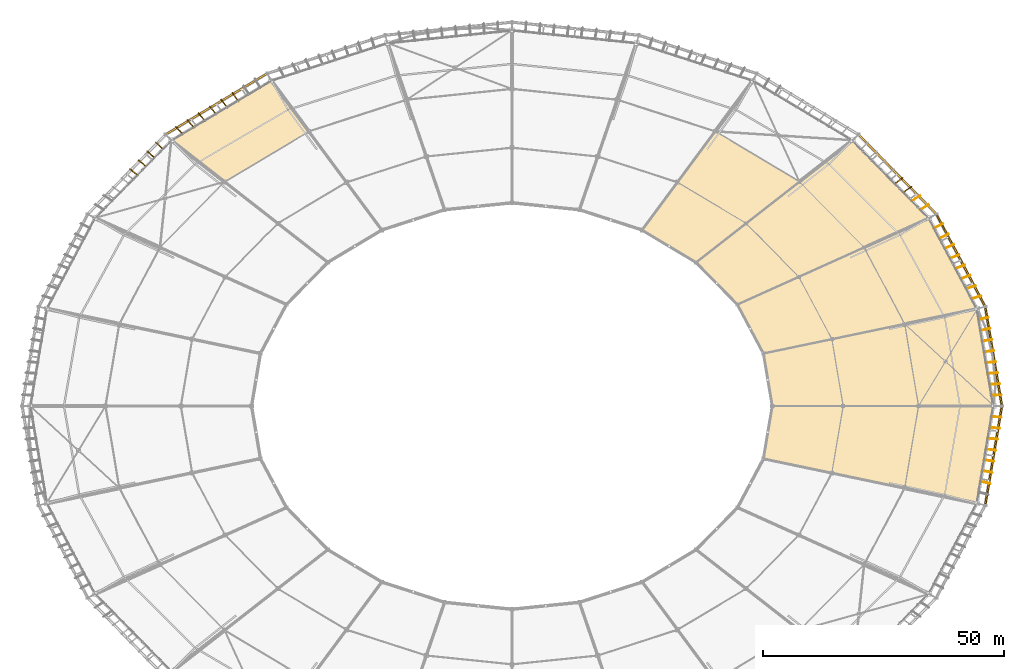
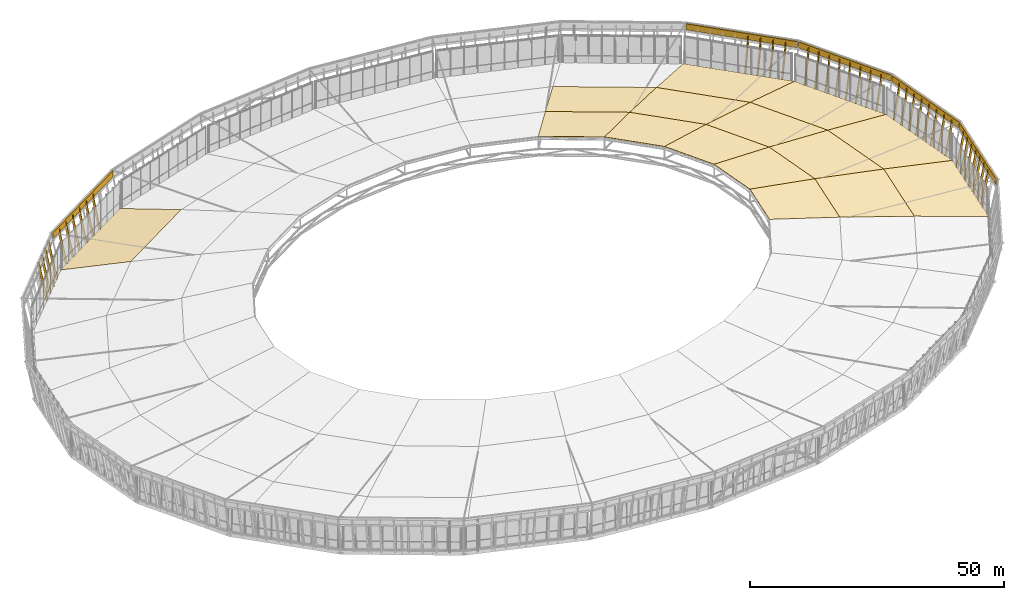
# One storey, part 114 of 115: 37 shading devices, 20 coverings, 4 elements without a shape of their own.
"""IFC4 building model written with IfcOpenShell, lengths in metres."""

from ifc_helpers import new_model, si_unit, direction, frame, origin, origin_2d, place, context, subcontext, project, spatial, polyline, rectangle, outline, extrude, material, layer, layer_set, material_profile, profile_set, type_object, element, aggregate, save


model = new_model("IFC4")

# Units and contexts
model_context = context("Model", 3, precision=1e-05, world=origin(), true_north=direction((0.0, 1.0)))
body_context = subcontext(model_context, "Body", "Model", "MODEL_VIEW")
ifc_project = project(units=[si_unit("LENGTHUNIT", "METRE"), si_unit("AREAUNIT", "SQUARE_METRE"), si_unit("VOLUMEUNIT", "CUBIC_METRE"), si_unit("PLANEANGLEUNIT", "RADIAN"), si_unit("MASSUNIT", "GRAM", prefix="KILO")], contexts=[model_context])

# Site, building, storey
site_placement = place(None, origin())
site = spatial("IfcSite", under=ifc_project, at=site_placement, CompositionType="ELEMENT")
building_placement = place(site_placement, origin())
building = spatial("IfcBuilding", under=site, at=building_placement, Name="Zlatoyarsky Gate Stadium", CompositionType="ELEMENT")
storey_placement = place(building_placement, frame((0.0, 0.0, 31.800048828125)))
storey = spatial("IfcBuildingStorey", under=building, at=storey_placement, Name="RF", CompositionType="ELEMENT", Elevation=31.800048828125)

# Coverings
ifc_material_1 = material(Name="Perforated stone-toned anodised aluminium fascia cladding", Category="masonry")
ifc_layer_1 = layer(ifc_material_1, 0.044921875)
ifc_layer_set_1 = layer_set([ifc_layer_1], Name="Perforated stone-toned anodised aluminium fascia cladding")
covering_type_1 = type_object("IfcCoveringType", Name="PERFORATED ANODISED CROWN FASCIA SCREEN 45", PredefinedType="CLADDING", material=ifc_layer_set_1)
covering_1_placement = place(storey_placement, frame((210.962890625, 90.3134765625, 7.39990234375), z_axis=(0.0, 0.0, 1.0), x_axis=(-0.165737957739, 0.986169827851, 0.0)))
element("IfcCovering", 1, at=covering_1_placement, inside=storey, type_object=covering_type_1, Name="RF crown perforated eaves fascia cladding sector 00", PredefinedType="CLADDING", context=body_context, shape_type="SweptSolid", body=[
    extrude(rectangle(XDim=20.677001953125, YDim=0.360107421875, at=origin_2d()), origin(), (0.0, 0.0, 1.0), 1.449951171875),
])
covering_2_placement = place(storey_placement, frame((204.150390625, 110.2373046875, 7.39990234375), z_axis=(0.0, 0.0, 1.0), x_axis=(-0.46744793664, 0.884020603001, 0.0)))
element("IfcCovering", 2, at=covering_2_placement, inside=storey, type_object=covering_type_1, Name="RF crown perforated eaves fascia cladding sector 01", PredefinedType="CLADDING", context=body_context, shape_type="SweptSolid", body=[
    extrude(rectangle(XDim=21.502197265625, YDim=0.360107421875, at=origin_2d()), origin(), (0.0, 0.0, 1.0), 1.449951171875),
])
covering_3_placement = place(storey_placement, frame((190.990234375, 128.100341796875, 7.39990234375), z_axis=(0.0, 0.0, 1.0), x_axis=(-0.699762493402, 0.71437556847, 0.0)))
element("IfcCovering", 3, at=covering_3_placement, inside=storey, type_object=covering_type_1, Name="RF crown perforated eaves fascia cladding sector 02", PredefinedType="CLADDING", context=body_context, shape_type="SweptSolid", body=[
    extrude(rectangle(XDim=22.861572265625, YDim=0.360107421875, at=origin_2d()), origin(), (0.0, 0.0, 1.0), 1.449951171875),
])
covering_4_placement = place(storey_placement, frame((49.621337890625, 142.685791015625, 7.39990234375), z_axis=(0.0, 0.0, 1.0), x_axis=(-0.85708092378, -0.515181802952, 0.0)))
element("IfcCovering", 4, at=covering_4_placement, inside=storey, type_object=covering_type_1, Name="RF crown perforated eaves fascia cladding sector 08", PredefinedType="CLADDING", context=body_context, shape_type="SweptSolid", body=[
    extrude(rectangle(XDim=24.337890625, YDim=0.360107421875, at=origin_2d()), origin(), (0.0, 0.0, 1.0), 1.449951171875),
])
covering_5_placement = place(storey_placement, frame((210.962890625, 69.686767578125, 7.39990234375), z_axis=(0.0, 0.0, 1.0), x_axis=(0.165737957739, 0.986169827851, 0.0)))
element("IfcCovering", 5, at=covering_5_placement, inside=storey, type_object=covering_type_1, Name="RF crown perforated eaves fascia cladding sector 23", PredefinedType="CLADDING", context=body_context, shape_type="SweptSolid", body=[
    extrude(rectangle(XDim=20.677001953125, YDim=0.360107421875, at=origin_2d()), origin(), (0.0, 0.0, 1.0), 1.449951171875),
])

# Shading devices
ifc_material_2 = material(Name="Precast concrete C40/50 stone-toned architectural rib", Category="masonry")
ifc_material_profile = material_profile(ifc_material_2, rectangle(XDim=0.179931640625, YDim=0.47998046875, at=origin_2d()), Name="RIB 180X480")
ifc_profile_set = profile_set([ifc_material_profile], Name="Precast concrete C40/50 stone-toned architectural rib")
shading_device_type = type_object("IfcShadingDeviceType", Name="PRECAST RIBBED BOWL LOUVRE FIN 180X480", PredefinedType="JALOUSIE", material=ifc_profile_set)
shading_device_1_placement = place(storey_placement, frame((210.64892578125, 82.243896484375, -0.35009765625), z_axis=(0.195030035876, 0.005630926562, 0.980781105942), x_axis=(-0.028860072953, 0.999583461342, 0.0)))
element("IfcShadingDevice", 6, at=shading_device_1_placement, inside=storey, type_object=shading_device_type, Name="RF crown fluted louvre fin 00-1", PredefinedType="JALOUSIE", context=body_context, shape_type="SweptSolid", body=[
    extrude(rectangle(XDim=0.179931640625, YDim=0.47998046875, at=origin_2d()), origin(), (0.0, 0.0, 1.0), 9.2783203125),
])
shading_device_2_placement = place(storey_placement, frame((210.270263671875, 84.48779296875, -0.35009765625), z_axis=(0.194311906235, 0.01126293281, 0.980875134479), x_axis=(-0.057866038024, 0.998324356932, 0.0)))
element("IfcShadingDevice", 7, at=shading_device_2_placement, inside=storey, type_object=shading_device_type, Name="RF crown fluted louvre fin 00-2", PredefinedType="JALOUSIE", context=body_context, shape_type="SweptSolid", body=[
    extrude(rectangle(XDim=0.179931640625, YDim=0.47998046875, at=origin_2d()), origin(), (0.0, 0.0, 1.0), 9.277587890625),
])
shading_device_3_placement = place(storey_placement, frame((209.8916015625, 86.731689453125, -0.35009765625), z_axis=(0.193587395149, 0.016895474128, 0.980937543065), x_axis=(-0.086945188706, 0.996213096762, 0.0)))
element("IfcShadingDevice", 8, at=shading_device_3_placement, inside=storey, type_object=shading_device_type, Name="RF crown fluted louvre fin 00-3", PredefinedType="JALOUSIE", context=body_context, shape_type="SweptSolid", body=[
    extrude(rectangle(XDim=0.179931640625, YDim=0.47998046875, at=origin_2d()), origin(), (0.0, 0.0, 1.0), 9.27685546875),
])
for number, where, z_axis, x_axis, name in (
    (9, (209.5126953125, 88.9755859375, -0.35009765625), (0.192856570316, 0.022528005484, 0.980968313584), (-0.116023334295, 0.993246487987, 0.0), "RF crown fluted louvre fin 00-4"),
    (10, (209.134033203125, 91.219482421875, -0.35009765625), (0.192119501284, 0.028159981695, 0.980967437103), (-0.145025730923, 0.989427883865, 0.0), "RF crown fluted louvre fin 00-5"),
):
    element("IfcShadingDevice", number, at=place(storey_placement, frame(where, z_axis=z_axis, x_axis=x_axis)), inside=storey, type_object=shading_device_type, Name=name, PredefinedType="JALOUSIE", context=body_context, shape_type="SweptSolid", body=[
        extrude(rectangle(XDim=0.179931640625, YDim=0.47998046875, at=origin_2d()), origin(), (0.0, 0.0, 1.0), 9.276611328125),
    ])
shading_device_4_placement = place(storey_placement, frame((208.75537109375, 93.46337890625, -0.35009765625), z_axis=(0.191376259423, 0.033790857687, 0.980934913879), x_axis=(-0.1738780361, 0.984767195109, 0.0)))
element("IfcShadingDevice", 11, at=shading_device_4_placement, inside=storey, type_object=shading_device_type, Name="RF crown fluted louvre fin 00-6", PredefinedType="JALOUSIE", context=body_context, shape_type="SweptSolid", body=[
    extrude(rectangle(XDim=0.179931640625, YDim=0.47998046875, at=origin_2d()), origin(), (0.0, 0.0, 1.0), 9.27685546875),
])
shading_device_5_placement = place(storey_placement, frame((208.376708984375, 95.707275390625, -0.35009765625), z_axis=(0.190601558805, 0.039420286496, 0.980875673464), x_axis=(-0.202534070788, 0.979275216765, 0.0)))
element("IfcShadingDevice", 12, at=shading_device_5_placement, inside=storey, type_object=shading_device_type, Name="RF crown fluted louvre fin 00-7", PredefinedType="JALOUSIE", context=body_context, shape_type="SweptSolid", body=[
    extrude(rectangle(XDim=0.179931640625, YDim=0.47998046875, at=origin_2d()), origin(), (0.0, 0.0, 1.0), 9.277587890625),
])
for number, where, z_axis, x_axis, name in (
    (13, (207.997802734375, 97.951171875, -0.35009765625), (0.189871551575, 0.045047130861, 0.980774974142), (-0.23084267522, 0.972991089012, 0.0), "RF crown fluted louvre fin 00-8"),
    (14, (206.5087890625, 102.285888671875, -0.35009765625), (0.186950900828, 0.055940551043, 0.980775211467), (-0.286667433462, 0.958030157454, 0.0), "RF crown fluted louvre fin 01-1"),
):
    element("IfcShadingDevice", number, at=place(storey_placement, frame(where, z_axis=z_axis, x_axis=x_axis)), inside=storey, type_object=shading_device_type, Name=name, PredefinedType="JALOUSIE", context=body_context, shape_type="SweptSolid", body=[
        extrude(rectangle(XDim=0.179931640625, YDim=0.47998046875, at=origin_2d()), origin(), (0.0, 0.0, 1.0), 9.278564453125),
    ])
shading_device_6_placement = place(storey_placement, frame((205.398681640625, 104.376953125, -0.35009765625), z_axis=(0.184785302945, 0.061182829585, 0.980872597833), x_axis=(-0.314320923346, 0.949316784402, 0.0)))
element("IfcShadingDevice", 15, at=shading_device_6_placement, inside=storey, type_object=shading_device_type, Name="RF crown fluted louvre fin 01-2", PredefinedType="JALOUSIE", context=body_context, shape_type="SweptSolid", body=[
    extrude(rectangle(XDim=0.179931640625, YDim=0.47998046875, at=origin_2d()), origin(), (0.0, 0.0, 1.0), 9.277587890625),
])
shading_device_7_placement = place(storey_placement, frame((204.288330078125, 106.468017578125, -0.35009765625), z_axis=(0.182613396654, 0.066424011119, 0.980938427277), x_axis=(-0.34183005436, 0.939761785739, 0.0)))
element("IfcShadingDevice", 16, at=shading_device_7_placement, inside=storey, type_object=shading_device_type, Name="RF crown fluted louvre fin 01-3", PredefinedType="JALOUSIE", context=body_context, shape_type="SweptSolid", body=[
    extrude(rectangle(XDim=0.179931640625, YDim=0.47998046875, at=origin_2d()), origin(), (0.0, 0.0, 1.0), 9.27685546875),
])
for number, where, z_axis, x_axis, name in (
    (17, (203.177978515625, 108.558837890625, -0.35009765625), (0.180460509711, 0.071689431013, 0.980966171647), (-0.369193060763, 0.929352723074, 0.0), "RF crown fluted louvre fin 01-4"),
    (18, (202.067626953125, 110.64990234375, -0.35009765625), (0.17830209172, 0.076926496546, 0.980964157458), (-0.396142641461, 0.918188982517, 0.0), "RF crown fluted louvre fin 01-5"),
):
    element("IfcShadingDevice", number, at=place(storey_placement, frame(where, z_axis=z_axis, x_axis=x_axis)), inside=storey, type_object=shading_device_type, Name=name, PredefinedType="JALOUSIE", context=body_context, shape_type="SweptSolid", body=[
        extrude(rectangle(XDim=0.179931640625, YDim=0.47998046875, at=origin_2d()), origin(), (0.0, 0.0, 1.0), 9.276611328125),
    ])
shading_device_8_placement = place(storey_placement, frame((200.957275390625, 112.740966796875, -0.35009765625), z_axis=(0.176112530755, 0.082161285268, 0.980935216879), x_axis=(-0.4227816734, 0.906231568992, 0.0)))
element("IfcShadingDevice", 19, at=shading_device_8_placement, inside=storey, type_object=shading_device_type, Name="RF crown fluted louvre fin 01-6", PredefinedType="JALOUSIE", context=body_context, shape_type="SweptSolid", body=[
    extrude(rectangle(XDim=0.179931640625, YDim=0.47998046875, at=origin_2d()), origin(), (0.0, 0.0, 1.0), 9.27685546875),
])
shading_device_9_placement = place(storey_placement, frame((199.846923828125, 114.831787109375, -0.35009765625), z_axis=(0.173942618792, 0.087418665602, 0.980867953535), x_axis=(-0.44905102955, 0.89350611238, 0.0)))
element("IfcShadingDevice", 20, at=shading_device_9_placement, inside=storey, type_object=shading_device_type, Name="RF crown fluted louvre fin 01-7", PredefinedType="JALOUSIE", context=body_context, shape_type="SweptSolid", body=[
    extrude(rectangle(XDim=0.179931640625, YDim=0.47998046875, at=origin_2d()), origin(), (0.0, 0.0, 1.0), 9.277587890625),
])
shading_device_10_placement = place(storey_placement, frame((198.73681640625, 116.9228515625, -0.35009765625), z_axis=(0.17171679421, 0.092647078212, 0.980780230982), x_axis=(-0.474831474978, 0.880076741183, 0.0)))
element("IfcShadingDevice", 21, at=shading_device_10_placement, inside=storey, type_object=shading_device_type, Name="RF crown fluted louvre fin 01-8", PredefinedType="JALOUSIE", context=body_context, shape_type="SweptSolid", body=[
    extrude(rectangle(XDim=0.179931640625, YDim=0.47998046875, at=origin_2d()), origin(), (0.0, 0.0, 1.0), 9.2783203125),
])
shading_device_11_placement = place(storey_placement, frame((195.860107421875, 120.809326171875, -0.35009765625), z_axis=(0.166111293154, 0.102408546326, 0.980774962938), x_axis=(-0.524789382262, 0.851232109512, 0.0)))
element("IfcShadingDevice", 22, at=shading_device_11_placement, inside=storey, type_object=shading_device_type, Name="RF crown fluted louvre fin 02-1", PredefinedType="JALOUSIE", context=body_context, shape_type="SweptSolid", body=[
    extrude(rectangle(XDim=0.179931640625, YDim=0.47998046875, at=origin_2d()), origin(), (0.0, 0.0, 1.0), 9.278564453125),
])
shading_device_12_placement = place(storey_placement, frame((194.093994140625, 122.60498046875, -0.35009765625), z_axis=(0.162654758763, 0.106892675958, 0.980875825616), x_axis=(-0.549196771849, 0.835693069129, 0.0)))
element("IfcShadingDevice", 23, at=shading_device_12_placement, inside=storey, type_object=shading_device_type, Name="RF crown fluted louvre fin 02-2", PredefinedType="JALOUSIE", context=body_context, shape_type="SweptSolid", body=[
    extrude(rectangle(XDim=0.179931640625, YDim=0.47998046875, at=origin_2d()), origin(), (0.0, 0.0, 1.0), 9.277587890625),
])
shading_device_13_placement = place(storey_placement, frame((192.32763671875, 124.400390625, -0.35009765625), z_axis=(0.159217123819, 0.111425669793, 0.980935384005), x_axis=(-0.573371454425, 0.819295535964, 0.0)))
element("IfcShadingDevice", 24, at=shading_device_13_placement, inside=storey, type_object=shading_device_type, Name="RF crown fluted louvre fin 02-3", PredefinedType="JALOUSIE", context=body_context, shape_type="SweptSolid", body=[
    extrude(rectangle(XDim=0.179931640625, YDim=0.47998046875, at=origin_2d()), origin(), (0.0, 0.0, 1.0), 9.27685546875),
])
shading_device_14_placement = place(storey_placement, frame((190.561279296875, 126.196044921875, -0.35009765625), z_axis=(0.155774503633, 0.115929496283, 0.980966184896), x_axis=(-0.597024968871, 0.802222653972, 0.0)))
element("IfcShadingDevice", 25, at=shading_device_14_placement, inside=storey, type_object=shading_device_type, Name="RF crown fluted louvre fin 02-4", PredefinedType="JALOUSIE", context=body_context, shape_type="SweptSolid", body=[
    extrude(rectangle(XDim=0.179931640625, YDim=0.47998046875, at=origin_2d()), origin(), (0.0, 0.0, 1.0), 9.276611328125),
])
shading_device_15_placement = place(storey_placement, frame((54.080810546875, 143.4404296875, -0.35009765625), z_axis=(-0.111425669793, 0.159217123819, 0.980935384005), x_axis=(-0.819295535964, -0.573371454425, 0.0)))
element("IfcShadingDevice", 26, at=shading_device_15_placement, inside=storey, type_object=shading_device_type, Name="RF crown fluted louvre fin 08-3", PredefinedType="JALOUSIE", context=body_context, shape_type="SweptSolid", body=[
    extrude(rectangle(XDim=0.179931640625, YDim=0.47998046875, at=origin_2d()), origin(), (0.0, 0.0, 1.0), 9.27685546875),
])
for number, where, z_axis, x_axis, name in (
    (27, (51.77880859375, 142.062744140625, -0.35009765625), (-0.115929496283, 0.155774503633, 0.980966184896), (-0.802222653972, -0.597024968871, 0.0), "RF crown fluted louvre fin 08-4"),
    (28, (49.47705078125, 140.68505859375, -0.35009765625), (-0.120430217812, 0.152301064352, 0.980969392201), (-0.784400255099, -0.620254979667, 0.0), "RF crown fluted louvre fin 08-5"),
):
    element("IfcShadingDevice", number, at=place(storey_placement, frame(where, z_axis=z_axis, x_axis=x_axis)), inside=storey, type_object=shading_device_type, Name=name, PredefinedType="JALOUSIE", context=body_context, shape_type="SweptSolid", body=[
        extrude(rectangle(XDim=0.179931640625, YDim=0.47998046875, at=origin_2d()), origin(), (0.0, 0.0, 1.0), 9.276611328125),
    ])
shading_device_16_placement = place(storey_placement, frame((47.17529296875, 139.30712890625, -0.35009765625), z_axis=(-0.12495234775, 0.148848036831, 0.980933826883), x_axis=(-0.765907568244, -0.642950695549, 0.0)))
element("IfcShadingDevice", 29, at=shading_device_16_placement, inside=storey, type_object=shading_device_type, Name="RF crown fluted louvre fin 08-6", PredefinedType="JALOUSIE", context=body_context, shape_type="SweptSolid", body=[
    extrude(rectangle(XDim=0.179931640625, YDim=0.47998046875, at=origin_2d()), origin(), (0.0, 0.0, 1.0), 9.27685546875),
])
shading_device_17_placement = place(storey_placement, frame((44.873291015625, 137.929443359375, -0.35009765625), z_axis=(-0.12941870555, 0.145365784761, 0.98087694808), x_axis=(-0.746886906655, -0.664951087424, 0.0)))
element("IfcShadingDevice", 30, at=shading_device_17_placement, inside=storey, type_object=shading_device_type, Name="RF crown fluted louvre fin 08-7", PredefinedType="JALOUSIE", context=body_context, shape_type="SweptSolid", body=[
    extrude(rectangle(XDim=0.179931640625, YDim=0.47998046875, at=origin_2d()), origin(), (0.0, 0.0, 1.0), 9.277587890625),
])
for number, where, z_axis, x_axis, name in (
    (31, (42.571533203125, 136.551513671875, -0.35009765625), (-0.133930933581, 0.141929952011, 0.980774384735), (-0.72730475479, -0.686314646252, 0.0), "RF crown fluted louvre fin 08-8"),
    (32, (38.503662109375, 133.378173828125, -0.35009765625), (-0.141903669219, 0.133957274244, 0.980774590484), (-0.68645326365, -0.727173924742, 0.0), "RF crown fluted louvre fin 09-1"),
):
    element("IfcShadingDevice", number, at=place(storey_placement, frame(where, z_axis=z_axis, x_axis=x_axis)), inside=storey, type_object=shading_device_type, Name=name, PredefinedType="JALOUSIE", context=body_context, shape_type="SweptSolid", body=[
        extrude(rectangle(XDim=0.179931640625, YDim=0.47998046875, at=origin_2d()), origin(), (0.0, 0.0, 1.0), 9.278564453125),
    ])
shading_device_18_placement = place(storey_placement, frame((36.7373046875, 131.582763671875, -0.35009765625), z_axis=(-0.145365289642, 0.129444579969, 0.980873607191), x_axis=(-0.66502650148, -0.74681975893, 0.0)))
element("IfcShadingDevice", 33, at=shading_device_18_placement, inside=storey, type_object=shading_device_type, Name="RF crown fluted louvre fin 09-2", PredefinedType="JALOUSIE", context=body_context, shape_type="SweptSolid", body=[
    extrude(rectangle(XDim=0.179931640625, YDim=0.47998046875, at=origin_2d()), origin(), (0.0, 0.0, 1.0), 9.277587890625),
])
shading_device_19_placement = place(storey_placement, frame((34.97119140625, 129.787109375, -0.35009765625), z_axis=(-0.148848036831, 0.12495234775, 0.980933826883), x_axis=(-0.642950695549, -0.765907568244, 0.0)))
element("IfcShadingDevice", 34, at=shading_device_19_placement, inside=storey, type_object=shading_device_type, Name="RF crown fluted louvre fin 09-3", PredefinedType="JALOUSIE", context=body_context, shape_type="SweptSolid", body=[
    extrude(rectangle(XDim=0.179931640625, YDim=0.47998046875, at=origin_2d()), origin(), (0.0, 0.0, 1.0), 9.27685546875),
])
shading_device_20_placement = place(storey_placement, frame((33.204833984375, 127.99169921875, -0.35009765625), z_axis=(-0.152301064352, 0.120430217812, 0.980969392201), x_axis=(-0.620254979667, -0.784400255099, 0.0)))
element("IfcShadingDevice", 35, at=shading_device_20_placement, inside=storey, type_object=shading_device_type, Name="RF crown fluted louvre fin 09-4", PredefinedType="JALOUSIE", context=body_context, shape_type="SweptSolid", body=[
    extrude(rectangle(XDim=0.179931640625, YDim=0.47998046875, at=origin_2d()), origin(), (0.0, 0.0, 1.0), 9.276611328125),
])
shading_device_21_placement = place(storey_placement, frame((208.376708984375, 64.292724609375, -0.35009765625), z_axis=(0.190601558805, -0.039420286496, 0.980875673464), x_axis=(0.202534070788, 0.979275216765, 0.0)))
element("IfcShadingDevice", 36, at=shading_device_21_placement, inside=storey, type_object=shading_device_type, Name="RF crown fluted louvre fin 23-2", PredefinedType="JALOUSIE", context=body_context, shape_type="SweptSolid", body=[
    extrude(rectangle(XDim=0.179931640625, YDim=0.47998046875, at=origin_2d()), origin(), (0.0, 0.0, 1.0), 9.277587890625),
])
shading_device_22_placement = place(storey_placement, frame((208.75537109375, 66.53662109375, -0.35009765625), z_axis=(0.191376259423, -0.033790857687, 0.980934913879), x_axis=(0.1738780361, 0.984767195109, 0.0)))
element("IfcShadingDevice", 37, at=shading_device_22_placement, inside=storey, type_object=shading_device_type, Name="RF crown fluted louvre fin 23-3", PredefinedType="JALOUSIE", context=body_context, shape_type="SweptSolid", body=[
    extrude(rectangle(XDim=0.179931640625, YDim=0.47998046875, at=origin_2d()), origin(), (0.0, 0.0, 1.0), 9.27685546875),
])
for number, where, z_axis, x_axis, name in (
    (38, (209.134033203125, 68.780517578125, -0.35009765625), (0.192119501284, -0.028159981695, 0.980967437103), (0.145025730923, 0.989427883865, 0.0), "RF crown fluted louvre fin 23-4"),
    (39, (209.5126953125, 71.0244140625, -0.35009765625), (0.192856570316, -0.022528005484, 0.980968313584), (0.116023334295, 0.993246487987, 0.0), "RF crown fluted louvre fin 23-5"),
):
    element("IfcShadingDevice", number, at=place(storey_placement, frame(where, z_axis=z_axis, x_axis=x_axis)), inside=storey, type_object=shading_device_type, Name=name, PredefinedType="JALOUSIE", context=body_context, shape_type="SweptSolid", body=[
        extrude(rectangle(XDim=0.179931640625, YDim=0.47998046875, at=origin_2d()), origin(), (0.0, 0.0, 1.0), 9.276611328125),
    ])
shading_device_23_placement = place(storey_placement, frame((209.8916015625, 73.268310546875, -0.35009765625), z_axis=(0.193587395149, -0.016895474128, 0.980937543065), x_axis=(0.086945188706, 0.996213096762, 0.0)))
element("IfcShadingDevice", 40, at=shading_device_23_placement, inside=storey, type_object=shading_device_type, Name="RF crown fluted louvre fin 23-6", PredefinedType="JALOUSIE", context=body_context, shape_type="SweptSolid", body=[
    extrude(rectangle(XDim=0.179931640625, YDim=0.47998046875, at=origin_2d()), origin(), (0.0, 0.0, 1.0), 9.27685546875),
])
shading_device_24_placement = place(storey_placement, frame((210.270263671875, 75.51220703125, -0.35009765625), z_axis=(0.194311906235, -0.01126293281, 0.980875134479), x_axis=(0.057866038024, 0.998324356932, 0.0)))
element("IfcShadingDevice", 41, at=shading_device_24_placement, inside=storey, type_object=shading_device_type, Name="RF crown fluted louvre fin 23-7", PredefinedType="JALOUSIE", context=body_context, shape_type="SweptSolid", body=[
    extrude(rectangle(XDim=0.179931640625, YDim=0.47998046875, at=origin_2d()), origin(), (0.0, 0.0, 1.0), 9.277587890625),
])
shading_device_25_placement = place(storey_placement, frame((210.64892578125, 77.756103515625, -0.35009765625), z_axis=(0.195030035876, -0.005630926562, 0.980781105942), x_axis=(0.028860072953, 0.999583461342, 0.0)))
element("IfcShadingDevice", 42, at=shading_device_25_placement, inside=storey, type_object=shading_device_type, Name="RF crown fluted louvre fin 23-8", PredefinedType="JALOUSIE", context=body_context, shape_type="SweptSolid", body=[
    extrude(rectangle(XDim=0.179931640625, YDim=0.47998046875, at=origin_2d()), origin(), (0.0, 0.0, 1.0), 9.2783203125),
])

# Roof, coverings
ifc_material_3 = material(Name="Standing-seam aluminium-zinc roofing with mineral wool insulation", Category="aluminium")
ifc_layer_2 = layer(ifc_material_3, 0.080078125)
ifc_layer_set_2 = layer_set([ifc_layer_2], Name="Standing-seam aluminium-zinc roofing with mineral wool insulation")
roof_type = type_object("IfcRoofType", Name="STADIUM BARREL VAULT ROOF ASSEMBLY", PredefinedType="BARREL_ROOF", material=ifc_layer_set_2)
roof_1_placement = place(storey_placement, origin())
roof_1 = element("IfcRoof", 43, at=roof_1_placement, inside=storey, type_object=roof_type, Name="Stadium barrel arch roof sector 1", PredefinedType="BARREL_ROOF")
ifc_layer_3 = layer(ifc_material_3, 0.06005859375)
ifc_layer_set_3 = layer_set([ifc_layer_3], Name="Standing-seam aluminium-zinc roofing with mineral wool insulation")
covering_type_2 = type_object("IfcCoveringType", Name="STANDING SEAM ALUMINIUM ZINC ROOFING 60", PredefinedType="ROOFING", material=ifc_layer_set_3)
covering_6_placement = place(storey_placement, frame((211.027587890625, 80.0, 0.260009765625), z_axis=(0.212232882997, 0.035819109006, 0.97656243774), x_axis=(-0.166422396487, 0.986054555259, 7.26426e-07)))
covering_6 = element("IfcCovering", 44, at=covering_6_placement, type_object=covering_type_2, Name="Stadium standing seam roofing sector 00 bay 1", PredefinedType="ROOFING", context=body_context, shape_type="SweptSolid", body=[
    extrude(outline(polyline([(0.0, 0.0), (20.480681111773205, -4.440892098500626e-16), (19.88110507793153, 15.796217675096024), (2.6035622218499994, 15.796345110952627), (0.0, 0.0)])), origin(), (0.0, 0.0, -1.0), 0.06005859375),
])
covering_7_placement = place(storey_placement, frame((195.38330078125, 80.0, 3.659912109375), z_axis=(0.197288387171, 0.033296875225, 0.979779878538), x_axis=(-0.166415266345, 0.98605575863, -7.92078e-07)))
covering_7 = element("IfcCovering", 45, at=covering_7_placement, type_object=covering_type_2, Name="Stadium standing seam roofing sector 00 bay 2", PredefinedType="ROOFING", context=body_context, shape_type="SweptSolid", body=[
    extrude(outline(polyline([(0.0, 0.0), (17.27754285655257, 4.440892098500626e-16), (16.677650205279438, 15.74462196374074), (2.603445710929395, 15.744497847299712), (0.0, 0.0)])), origin(), (0.0, 0.0, -1.0), 0.06005859375),
])
covering_8_placement = place(storey_placement, frame((179.739013671875, 80.0, 6.81005859375), z_axis=(0.177045392064, 0.029881380548, 0.983748968104), x_axis=(-0.166423993428, 0.986054285732, -6.3215e-08)))
covering_8 = element("IfcCovering", 46, at=covering_8_placement, type_object=covering_type_2, Name="Stadium standing seam roofing sector 00 bay 3", PredefinedType="ROOFING", context=body_context, shape_type="SweptSolid", body=[
    extrude(outline(polyline([(0.0, 0.0), (14.074204494904219, 0.0), (13.509954511495028, 14.758634617646527), (2.4504468646312674, 14.758625768629122), (0.0, 0.0)])), origin(), (0.0, 0.0, -1.0), 0.06005859375),
])
covering_9_placement = place(storey_placement, frame((207.619140625, 100.195068359375, 0.260009765625), z_axis=(0.197393520935, 0.104815476231, 0.974704834212), x_axis=(-0.468978328534, 0.8832096735, -7.78726e-07)))
covering_9 = element("IfcCovering", 47, at=covering_9_placement, type_object=covering_type_2, Name="Stadium standing seam roofing sector 01 bay 1", PredefinedType="ROOFING", context=body_context, shape_type="SweptSolid", body=[
    extrude(outline(polyline([(0.0, 0.0), (21.30733667960491, -3.552713678800501e-15), (22.272037155518145, 15.212437205781285), (4.297197083498218, 15.212300335087063), (0.0, 0.0)])), origin(), (0.0, 0.0, -1.0), 0.06005859375),
])
covering_10_placement = place(storey_placement, frame((192.508056640625, 97.03662109375, 3.659912109375), z_axis=(0.183541042483, 0.097459660481, 0.97816885061), x_axis=(-0.46898487922, 0.883206195099, 1.019999e-06)))
covering_10 = element("IfcCovering", 48, at=covering_10_placement, type_object=covering_type_2, Name="Stadium standing seam roofing sector 01 bay 2", PredefinedType="ROOFING", context=body_context, shape_type="SweptSolid", body=[
    extrude(outline(polyline([(0.0, 0.0), (17.97484007253932, 0.0), (18.939656384642074, 15.15856553760574), (4.297211790298488, 15.158725632562989), (0.0, 0.0)])), origin(), (0.0, 0.0, -1.0), 0.06005859375),
])
covering_11_placement = place(storey_placement, frame((177.396728515625, 93.8779296875, 6.81005859375), z_axis=(0.164762027399, 0.087486990583, 0.982445673208), x_axis=(-0.468975230927, 0.883211318302, -1.93843e-07)))
covering_11 = element("IfcCovering", 49, at=covering_11_placement, type_object=covering_type_2, Name="Stadium standing seam roofing sector 01 bay 3", PredefinedType="ROOFING", context=body_context, shape_type="SweptSolid", body=[
    extrude(outline(polyline([(0.0, 0.0), (14.642444595230506, -1.7763568394002505e-15), (15.550353376214641, 14.204881870937053), (4.044474844243187, 14.204854700251182), (0.0, 0.0)])), origin(), (0.0, 0.0, -1.0), 0.06005859375),
])
covering_12_placement = place(storey_placement, frame((197.62646484375, 119.013916015625, 0.260009765625), z_axis=(0.168948625829, 0.166192117478, 0.971512502194), x_axis=(-0.701266900285, 0.712898824915, -8.8643e-08)))
covering_12 = element("IfcCovering", 50, at=covering_12_placement, type_object=covering_type_2, Name="Stadium standing seam roofing sector 02 bay 1", PredefinedType="ROOFING", context=body_context, shape_type="SweptSolid", body=[
    extrude(outline(polyline([(0.0, 0.0), (22.667889468842993, 0.0), (24.273771870630213, 14.346296345083724), (5.151031200888392, 14.346280713684154), (0.0, 0.0)])), origin(), (0.0, 0.0, -1.0), 0.06005859375),
])
covering_13_placement = place(storey_placement, frame((184.078125, 112.912109375, 3.659912109375), z_axis=(0.157163436364, 0.154599522261, 0.975396658794), x_axis=(-0.701267503741, 0.712898231304, -1.1819e-07)))
covering_13 = element("IfcCovering", 51, at=covering_13_placement, type_object=covering_type_2, Name="Stadium standing seam roofing sector 02 bay 2", PredefinedType="ROOFING", context=body_context, shape_type="SweptSolid", body=[
    extrude(outline(polyline([(0.0, 0.0), (19.122740669748183, 0.0), (20.72863479855162, 14.289166108712909), (5.151042927889645, 14.289147505340267), (0.0, 0.0)])), origin(), (0.0, 0.0, -1.0), 0.06005859375),
])
covering_14_placement = place(storey_placement, frame((170.52978515625, 106.810302734375, 6.81005859375), z_axis=(0.141161010432, 0.138856723893, 0.980200173109), x_axis=(-0.701268194688, 0.712897551629, 1.130846e-06)))
covering_14 = element("IfcCovering", 52, at=covering_14_placement, type_object=covering_type_2, Name="Stadium standing seam roofing sector 02 bay 3", PredefinedType="ROOFING", context=body_context, shape_type="SweptSolid", body=[
    extrude(outline(polyline([(0.0, 0.0), (15.577591870662886, 0.0), (17.088906441996944, 13.382629616332784), (4.848086175728565, 13.382788489483769), (0.0, 0.0)])), origin(), (0.0, 0.0, -1.0), 0.06005859375),
])
aggregate(roof_1, [covering_6, covering_7, covering_8, covering_9, covering_10, covering_11, covering_12, covering_13, covering_14])

roof_2_placement = place(storey_placement, origin())
roof_2 = element("IfcRoof", 53, at=roof_2_placement, inside=storey, type_object=roof_type, Name="Stadium barrel arch roof sector 2", PredefinedType="BARREL_ROOF")
covering_15_placement = place(storey_placement, frame((170.66796875, 126.544677734375, 3.659912109375), z_axis=(0.120203617004, 0.200821206827, 0.972225248257), x_axis=(-0.858036147249, 0.513589300914, -5.91224e-07)))
covering_15 = element("IfcCovering", 54, at=covering_15_placement, type_object=covering_type_2, Name="Stadium standing seam roofing sector 03 bay 2", PredefinedType="ROOFING", context=body_context, shape_type="SweptSolid", body=[
    extrude(outline(polyline([(0.0, 0.0), (20.367813062696413, 3.552713678800501e-15), (21.651676168666086, 13.45950735266839), (5.059974218422185, 13.459413989623384), (0.0, 0.0)])), origin(), (0.0, 0.0, -1.0), 0.06005859375),
])
covering_16_placement = place(storey_placement, frame((159.605712890625, 117.91552734375, 6.81005859375), z_axis=(0.108033387963, 0.180488381017, 0.977626069314), x_axis=(-0.858038956174, 0.51358460811, 8.19339e-07)))
covering_16 = element("IfcCovering", 55, at=covering_16_placement, type_object=covering_type_2, Name="Stadium standing seam roofing sector 03 bay 3", PredefinedType="ROOFING", context=body_context, shape_type="SweptSolid", body=[
    extrude(outline(polyline([(0.0, 0.0), (16.59170195050538, 1.7763568394002505e-15), (17.799917642388266, 12.597496481387736), (4.762249659606838, 12.597611891195024), (0.0, 0.0)])), origin(), (0.0, 0.0, -1.0), 0.06005859375),
])
aggregate(roof_2, [covering_15, covering_16])

# Roof, covering
roof_3_placement = place(storey_placement, origin())
roof_3 = element("IfcRoof", 56, at=roof_3_placement, inside=storey, type_object=roof_type, Name="Stadium barrel arch roof sector 3", PredefinedType="BARREL_ROOF")
covering_17_placement = place(storey_placement, frame((60.986083984375, 147.573974609375, 0.260009765625), z_axis=(-0.129152879329, 0.215770189277, 0.967865052154), x_axis=(-0.8580340905, -0.51359273704, 4.42967e-07)))
covering_17 = element("IfcCovering", 57, at=covering_17_placement, type_object=covering_type_2, Name="Stadium standing seam roofing sector 08 bay 1", PredefinedType="ROOFING", context=body_context, shape_type="SweptSolid", body=[
    extrude(outline(polyline([(0.0, 0.0), (24.1439241753555, 0.0), (19.08400200367485, 13.520068961575209), (-1.2838110588714116, 13.520147369410287), (0.0, 0.0)])), origin(), (0.0, 0.0, -1.0), 0.06005859375),
])
aggregate(roof_3, [covering_17])

# Roof, coverings
roof_4_placement = place(storey_placement, origin())
roof_4 = element("IfcRoof", 58, at=roof_4_placement, inside=storey, type_object=roof_type, Name="Stadium barrel arch roof sector 8", PredefinedType="BARREL_ROOF")
covering_18_placement = place(storey_placement, frame((207.619140625, 59.804931640625, 0.260009765625), z_axis=(0.212232882997, -0.035819109006, 0.97656243774), x_axis=(0.166422396487, 0.986054555259, -7.26426e-07)))
covering_18 = element("IfcCovering", 59, at=covering_18_placement, type_object=covering_type_2, Name="Stadium standing seam roofing sector 23 bay 1", PredefinedType="ROOFING", context=body_context, shape_type="SweptSolid", body=[
    extrude(outline(polyline([(0.0, 0.0), (20.480681111773205, 4.440892098500626e-16), (17.877118889923207, 15.796345110952627), (0.5995760338416769, 15.796217675096022), (0.0, 0.0)])), origin(), (0.0, 0.0, -1.0), 0.06005859375),
])
covering_19_placement = place(storey_placement, frame((192.508056640625, 62.96337890625, 3.659912109375), z_axis=(0.197288387171, -0.033296875225, 0.979779878538), x_axis=(0.166415266345, 0.98605575863, 7.92078e-07)))
covering_19 = element("IfcCovering", 60, at=covering_19_placement, type_object=covering_type_2, Name="Stadium standing seam roofing sector 23 bay 2", PredefinedType="ROOFING", context=body_context, shape_type="SweptSolid", body=[
    extrude(outline(polyline([(0.0, 0.0), (17.27754285655257, -4.440892098500626e-16), (14.674097145623177, 15.744497847299712), (0.5998926512731327, 15.744621963740737), (0.0, 0.0)])), origin(), (0.0, 0.0, -1.0), 0.06005859375),
])
covering_20_placement = place(storey_placement, frame((177.396728515625, 66.1220703125, 6.81005859375), z_axis=(0.177045392064, -0.029881380548, 0.983748968104), x_axis=(0.166423993428, 0.986054285732, 6.3215e-08)))
covering_20 = element("IfcCovering", 61, at=covering_20_placement, type_object=covering_type_2, Name="Stadium standing seam roofing sector 23 bay 3", PredefinedType="ROOFING", context=body_context, shape_type="SweptSolid", body=[
    extrude(outline(polyline([(0.0, 0.0), (14.074204494904219, 0.0), (11.623757630272953, 14.758625768629122), (0.5642499834091927, 14.758634617646527), (0.0, 0.0)])), origin(), (0.0, 0.0, -1.0), 0.06005859375),
])
aggregate(roof_4, [covering_18, covering_19, covering_20])

save(model, "model.ifc")
